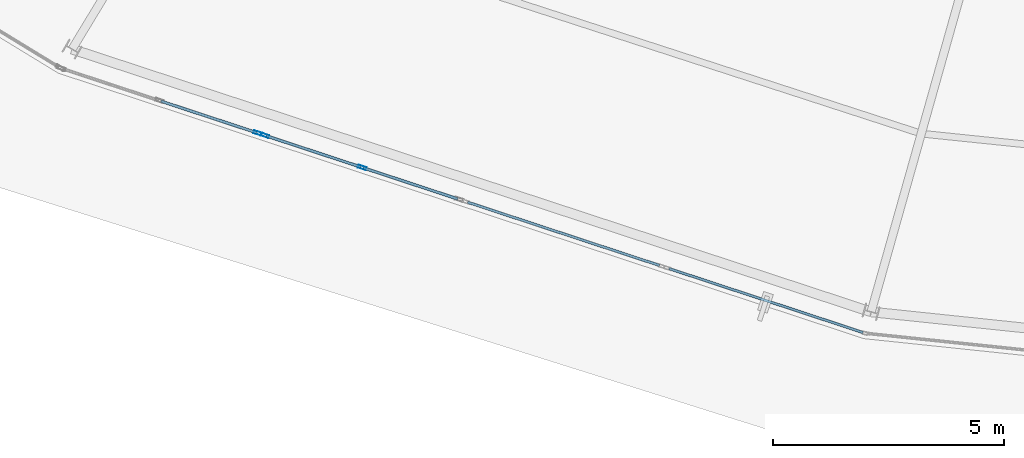
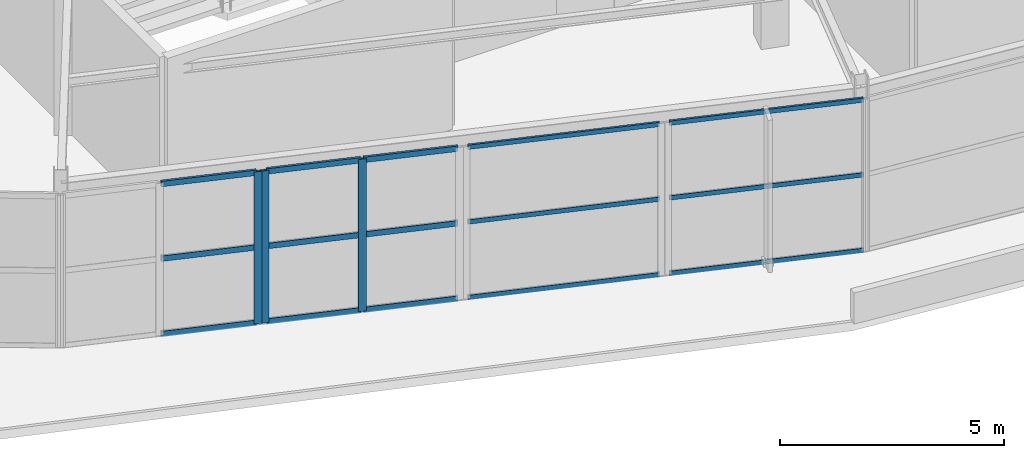
# One storey, part 18 of 126: 18 members, 4 elements without a shape of their own.
"""IFC4 building model written with IfcOpenShell, lengths in metres."""

from ifc_helpers import new_model, si_unit, direction, frame, origin, origin_2d, place, context, subcontext, project, spatial, hollow_rectangle, extrude, material, layer, layer_set, material_profile, profile_set, type_object, element, aggregate, save


model = new_model("IFC4")

# Units and contexts
model_context = context("Model", 3, precision=1e-05, world=origin(), true_north=direction((0.0, 1.0)))
body_context = subcontext(model_context, "Body", "Model", "MODEL_VIEW")
ifc_project = project(units=[si_unit("LENGTHUNIT", "METRE"), si_unit("AREAUNIT", "SQUARE_METRE"), si_unit("VOLUMEUNIT", "CUBIC_METRE"), si_unit("PLANEANGLEUNIT", "RADIAN"), si_unit("MASSUNIT", "GRAM", prefix="KILO")], contexts=[model_context])

# Site, building, storey
site_placement = place(None, origin())
site = spatial("IfcSite", under=ifc_project, at=site_placement, CompositionType="ELEMENT")
building_placement = place(site_placement, origin())
building = spatial("IfcBuilding", under=site, at=building_placement, Name="Kalgoora Escarpment Arena", CompositionType="ELEMENT")
storey_placement = place(building_placement, frame((0.0, 0.0, 18.89990234375)))
storey = spatial("IfcBuildingStorey", under=building, at=storey_placement, Name="L04", CompositionType="ELEMENT", Elevation=18.89990234375)

# Curtain wall, members
ifc_material_1 = material(Name=" Champagne anodised aluminium & double-glazed low-E", Category="aluminium")
ifc_layer_1 = layer(ifc_material_1, 0.154052734375)
ifc_layer_set_1 = layer_set([ifc_layer_1], Name="CW-UNIT-01")
curtain_wall_type_1 = type_object("IfcCurtainWallType", Name="CW-UNIT-01", PredefinedType="NOTDEFINED", material=ifc_layer_set_1)
curtain_wall_1_placement = place(storey_placement, origin())
curtain_wall_1 = element("IfcCurtainWall", 1, at=curtain_wall_1_placement, inside=storey, type_object=curtain_wall_type_1, Name="L04 unitised facade curtain wall 120", PredefinedType="NOTDEFINED")
ifc_material_2 = material(Name="Anodised aluminium 6063-T6", Category="aluminium")
ifc_material_profile_1 = material_profile(ifc_material_2, hollow_rectangle(XDim=0.06494140625, YDim=0.179931640625, WallThickness=0.00390625, at=origin_2d()))
ifc_profile_set_1 = profile_set([ifc_material_profile_1], Name="Anodised aluminium 6063-T6")
member_type_1 = type_object("IfcMemberType", Name="MEM-CW-MULL-180", PredefinedType="MULLION", material=ifc_profile_set_1)
member_1_placement = place(storey_placement, frame((62.78564453125, 12.072998046875, 0.02001953125), z_axis=(0.0, 0.0, 1.0), x_axis=(-0.312989939956, -0.94975644114, 0.0)))
member_1 = element("IfcMember", 2, at=member_1_placement, type_object=member_type_1, Name="CW-01 mullion 2", PredefinedType="MULLION", context=body_context, shape_type="SweptSolid", body=[
    extrude(hollow_rectangle(XDim=0.06494140625, YDim=0.179931640625, WallThickness=0.00390625, at=origin_2d()), origin(), (0.0, 0.0, 1.0), 4.150146484375),
])
member_2_placement = place(storey_placement, frame((60.68115234375, 12.7666015625, 0.02001953125), z_axis=(0.0, 0.0, 1.0), x_axis=(-0.312989939956, -0.94975644114, 0.0)))
member_2 = element("IfcMember", 3, at=member_2_placement, type_object=member_type_1, Name="CW-01 mullion 3", PredefinedType="MULLION", context=body_context, shape_type="SweptSolid", body=[
    extrude(hollow_rectangle(XDim=0.06494140625, YDim=0.179931640625, WallThickness=0.00390625, at=origin_2d()), origin(), (0.0, 0.0, 1.0), 4.150146484375),
])

# Curtain wall, member
ifc_material_3 = material(Name=" Champagne anodised aluminium & double-glazed low-E", Category="aluminium")
ifc_layer_2 = layer(ifc_material_3, 0.157958984375)
ifc_layer_set_2 = layer_set([ifc_layer_2], Name="CW-UNIT-02")
curtain_wall_type_2 = type_object("IfcCurtainWallType", Name="CW-UNIT-02", PredefinedType="NOTDEFINED", material=ifc_layer_set_2)
curtain_wall_2_placement = place(storey_placement, origin())
curtain_wall_2 = element("IfcCurtainWall", 4, at=curtain_wall_2_placement, inside=storey, type_object=curtain_wall_type_2, Name="L04 unitised facade curtain wall 121", PredefinedType="NOTDEFINED")
member_3_placement = place(storey_placement, frame((60.5244140625, 12.818115234375, 0.02001953125), z_axis=(0.0, 0.0, 1.0), x_axis=(-0.312985861452, -0.949757785191, 0.0)))
member_3 = element("IfcMember", 5, at=member_3_placement, type_object=member_type_1, Name="CW-02 mullion 1", PredefinedType="MULLION", context=body_context, shape_type="SweptSolid", body=[
    extrude(hollow_rectangle(XDim=0.06494140625, YDim=0.179931640625, WallThickness=0.00390625, at=origin_2d()), origin(), (0.0, 0.0, 1.0), 4.150146484375),
])

# Curtain wall, members
ifc_material_4 = material(Name=" Champagne anodised aluminium & double-glazed low-E", Category="aluminium")
ifc_layer_3 = layer(ifc_material_4, 0.166015625)
ifc_layer_set_3 = layer_set([ifc_layer_3], Name="CW-UNIT-19")
curtain_wall_type_3 = type_object("IfcCurtainWallType", Name="CW-UNIT-19", PredefinedType="NOTDEFINED", material=ifc_layer_set_3)
curtain_wall_3_placement = place(storey_placement, origin())
curtain_wall_3 = element("IfcCurtainWall", 6, at=curtain_wall_3_placement, inside=storey, type_object=curtain_wall_type_3, Name="L04 unitised facade curtain wall 118", PredefinedType="NOTDEFINED")
ifc_material_5 = material(Name="Anodised aluminium 6063-T6", Category="aluminium")
ifc_material_profile_2 = material_profile(ifc_material_5, hollow_rectangle(XDim=0.054931640625, YDim=0.1201171875, WallThickness=0.003173828125, at=origin_2d()))
ifc_profile_set_2 = profile_set([ifc_material_profile_2], Name="Anodised aluminium 6063-T6")
member_type_2 = type_object("IfcMemberType", Name="MEM-CW-TRAN-120", PredefinedType="USERDEFINED", material=ifc_profile_set_2)
member_4_placement = place(storey_placement, frame((73.64208984375, 8.495361328125, 0.047607421875), z_axis=(-0.949747912107, 0.313015819804, 0.0), x_axis=(-0.313015819804, -0.949747912107, 0.0)))
member_4 = element("IfcMember", 7, at=member_4_placement, type_object=member_type_2, Name="CW-19 transom 1.1", ObjectType="TRANSOM", PredefinedType="USERDEFINED", context=body_context, shape_type="SweptSolid", body=[
    extrude(hollow_rectangle(XDim=0.054931640625, YDim=0.1201171875, WallThickness=0.003173828125, at=origin_2d()), origin(), (0.0, 0.0, 1.0), 4.42626953125),
])
member_5_placement = place(storey_placement, frame((73.64208984375, 8.495361328125, 2.10498046875), z_axis=(-0.949747912107, 0.313015819804, 0.0), x_axis=(-0.313015819804, -0.949747912107, 0.0)))
member_5 = element("IfcMember", 8, at=member_5_placement, type_object=member_type_2, Name="CW-19 transom 1.2", ObjectType="TRANSOM", PredefinedType="USERDEFINED", context=body_context, shape_type="SweptSolid", body=[
    extrude(hollow_rectangle(XDim=0.054931640625, YDim=0.1201171875, WallThickness=0.003173828125, at=origin_2d()), origin(), (0.0, 0.0, 1.0), 4.42626953125),
])
member_6_placement = place(storey_placement, frame((73.64208984375, 8.495361328125, 4.142578125), z_axis=(-0.949747912107, 0.313015819804, 0.0), x_axis=(-0.313015819804, -0.949747912107, 0.0)))
member_6 = element("IfcMember", 9, at=member_6_placement, type_object=member_type_2, Name="CW-19 transom 1.3", ObjectType="TRANSOM", PredefinedType="USERDEFINED", context=body_context, shape_type="SweptSolid", body=[
    extrude(hollow_rectangle(XDim=0.054931640625, YDim=0.1201171875, WallThickness=0.003173828125, at=origin_2d()), origin(), (0.0, 0.0, 1.0), 4.42626953125),
])
aggregate(curtain_wall_3, [member_4, member_5, member_6])

ifc_material_6 = material(Name=" Champagne anodised aluminium & double-glazed low-E", Category="aluminium")
ifc_layer_4 = layer(ifc_material_6, 0.14990234375)
ifc_layer_set_4 = layer_set([ifc_layer_4], Name="CW-UNIT-20")
curtain_wall_type_4 = type_object("IfcCurtainWallType", Name="CW-UNIT-20", PredefinedType="NOTDEFINED", material=ifc_layer_set_4)
curtain_wall_4_placement = place(storey_placement, origin())
curtain_wall_4 = element("IfcCurtainWall", 10, at=curtain_wall_4_placement, inside=storey, type_object=curtain_wall_type_4, Name="L04 unitised facade curtain wall 119", PredefinedType="NOTDEFINED")
member_7_placement = place(storey_placement, frame((69.229248046875, 9.94970703125, 0.047607421875), z_axis=(-0.949765521885, 0.312962383423, 0.0), x_axis=(-0.312962383423, -0.949765521885, 0.0)))
member_7 = element("IfcMember", 11, at=member_7_placement, type_object=member_type_2, Name="CW-20 transom 1.1", ObjectType="TRANSOM", PredefinedType="USERDEFINED", context=body_context, shape_type="SweptSolid", body=[
    extrude(hollow_rectangle(XDim=0.054931640625, YDim=0.1201171875, WallThickness=0.003173828125, at=origin_2d()), origin(), (0.0, 0.0, 1.0), 4.376220703125),
])
member_8_placement = place(storey_placement, frame((69.229248046875, 9.94970703125, 2.10498046875), z_axis=(-0.949765521885, 0.312962383423, 0.0), x_axis=(-0.312962383423, -0.949765521885, 0.0)))
member_8 = element("IfcMember", 12, at=member_8_placement, type_object=member_type_2, Name="CW-20 transom 1.2", ObjectType="TRANSOM", PredefinedType="USERDEFINED", context=body_context, shape_type="SweptSolid", body=[
    extrude(hollow_rectangle(XDim=0.054931640625, YDim=0.1201171875, WallThickness=0.003173828125, at=origin_2d()), origin(), (0.0, 0.0, 1.0), 4.376220703125),
])
member_9_placement = place(storey_placement, frame((69.229248046875, 9.94970703125, 4.142578125), z_axis=(-0.949765521885, 0.312962383423, 0.0), x_axis=(-0.312962383423, -0.949765521885, 0.0)))
member_9 = element("IfcMember", 13, at=member_9_placement, type_object=member_type_2, Name="CW-20 transom 1.3", ObjectType="TRANSOM", PredefinedType="USERDEFINED", context=body_context, shape_type="SweptSolid", body=[
    extrude(hollow_rectangle(XDim=0.054931640625, YDim=0.1201171875, WallThickness=0.003173828125, at=origin_2d()), origin(), (0.0, 0.0, 1.0), 4.376220703125),
])
aggregate(curtain_wall_4, [member_7, member_8, member_9])

# Member
ifc_material_7 = material(Name="Anodised aluminium 6063-T6", Category="aluminium")
ifc_material_profile_3 = material_profile(ifc_material_7, hollow_rectangle(XDim=0.06005859375, YDim=0.14990234375, WallThickness=0.00341796875, at=origin_2d()))
ifc_profile_set_3 = profile_set([ifc_material_profile_3], Name="Anodised aluminium 6063-T6")
member_type_3 = type_object("IfcMemberType", Name="MEM-CW-TRAN-150", PredefinedType="USERDEFINED", material=ifc_profile_set_3)
member_10_placement = place(storey_placement, frame((64.859130859375, 11.3896484375, 0.050048828125), z_axis=(-0.949733650084, 0.313059090108, 0.0), x_axis=(-0.313059090108, -0.949733650084, 0.0)))
member_10 = element("IfcMember", 14, at=member_10_placement, type_object=member_type_3, Name="CW-01 transom 1.1", ObjectType="TRANSOM", PredefinedType="USERDEFINED", context=body_context, shape_type="SweptSolid", body=[
    extrude(hollow_rectangle(XDim=0.06005859375, YDim=0.14990234375, WallThickness=0.00341796875, at=origin_2d()), origin(), (0.0, 0.0, 1.0), 2.15087890625),
])

member_11_placement = place(storey_placement, frame((64.859130859375, 11.3896484375, 2.10498046875), z_axis=(-0.949733650084, 0.313059090108, 0.0), x_axis=(-0.313059090108, -0.949733650084, 0.0)))
member_11 = element("IfcMember", 15, at=member_11_placement, type_object=member_type_3, Name="CW-01 transom 1.2", ObjectType="TRANSOM", PredefinedType="USERDEFINED", context=body_context, shape_type="SweptSolid", body=[
    extrude(hollow_rectangle(XDim=0.06005859375, YDim=0.14990234375, WallThickness=0.00341796875, at=origin_2d()), origin(), (0.0, 0.0, 1.0), 2.15087890625),
])

member_12_placement = place(storey_placement, frame((64.859130859375, 11.3896484375, 4.14013671875), z_axis=(-0.949733650084, 0.313059090108, 0.0), x_axis=(-0.313059090108, -0.949733650084, 0.0)))
member_12 = element("IfcMember", 16, at=member_12_placement, type_object=member_type_3, Name="CW-01 transom 1.3", ObjectType="TRANSOM", PredefinedType="USERDEFINED", context=body_context, shape_type="SweptSolid", body=[
    extrude(hollow_rectangle(XDim=0.06005859375, YDim=0.14990234375, WallThickness=0.00341796875, at=origin_2d()), origin(), (0.0, 0.0, 1.0), 2.15087890625),
])

member_13_placement = place(storey_placement, frame((62.754638671875, 12.083251953125, 0.050048828125), z_axis=(-0.949756275184, 0.312990443543, 0.0), x_axis=(-0.312990443543, -0.949756275184, 0.0)))
member_13 = element("IfcMember", 17, at=member_13_placement, type_object=member_type_3, Name="CW-01 transom 2.1", ObjectType="TRANSOM", PredefinedType="USERDEFINED", context=body_context, shape_type="SweptSolid", body=[
    extrude(hollow_rectangle(XDim=0.06005859375, YDim=0.14990234375, WallThickness=0.00341796875, at=origin_2d()), origin(), (0.0, 0.0, 1.0), 2.150634765625),
])

member_14_placement = place(storey_placement, frame((62.754638671875, 12.083251953125, 2.10498046875), z_axis=(-0.949756275184, 0.312990443543, 0.0), x_axis=(-0.312990443543, -0.949756275184, 0.0)))
member_14 = element("IfcMember", 18, at=member_14_placement, type_object=member_type_3, Name="CW-01 transom 2.2", ObjectType="TRANSOM", PredefinedType="USERDEFINED", context=body_context, shape_type="SweptSolid", body=[
    extrude(hollow_rectangle(XDim=0.06005859375, YDim=0.14990234375, WallThickness=0.00341796875, at=origin_2d()), origin(), (0.0, 0.0, 1.0), 2.150634765625),
])

member_15_placement = place(storey_placement, frame((62.754638671875, 12.083251953125, 4.14013671875), z_axis=(-0.949756275184, 0.312990443543, 0.0), x_axis=(-0.312990443543, -0.949756275184, 0.0)))
member_15 = element("IfcMember", 19, at=member_15_placement, type_object=member_type_3, Name="CW-01 transom 2.3", ObjectType="TRANSOM", PredefinedType="USERDEFINED", context=body_context, shape_type="SweptSolid", body=[
    extrude(hollow_rectangle(XDim=0.06005859375, YDim=0.14990234375, WallThickness=0.00341796875, at=origin_2d()), origin(), (0.0, 0.0, 1.0), 2.150634765625),
])

aggregate(curtain_wall_1, [member_1, member_2, member_10, member_11, member_12, member_13, member_14, member_15])

member_16_placement = place(storey_placement, frame((60.49365234375, 12.828369140625, 0.050048828125), z_axis=(-0.949766139008, 0.312960510597, 0.0), x_axis=(-0.312960510597, -0.949766139008, 0.0)))
member_16 = element("IfcMember", 20, at=member_16_placement, type_object=member_type_3, Name="CW-02 transom 1.1", ObjectType="TRANSOM", PredefinedType="USERDEFINED", context=body_context, shape_type="SweptSolid", body=[
    extrude(hollow_rectangle(XDim=0.06005859375, YDim=0.14990234375, WallThickness=0.00341796875, at=origin_2d()), origin(), (0.0, 0.0, 1.0), 2.17578125),
])

member_17_placement = place(storey_placement, frame((60.49365234375, 12.828369140625, 2.10498046875), z_axis=(-0.949766139008, 0.312960510597, 0.0), x_axis=(-0.312960510597, -0.949766139008, 0.0)))
member_17 = element("IfcMember", 21, at=member_17_placement, type_object=member_type_3, Name="CW-02 transom 1.2", ObjectType="TRANSOM", PredefinedType="USERDEFINED", context=body_context, shape_type="SweptSolid", body=[
    extrude(hollow_rectangle(XDim=0.06005859375, YDim=0.14990234375, WallThickness=0.00341796875, at=origin_2d()), origin(), (0.0, 0.0, 1.0), 2.17578125),
])

member_18_placement = place(storey_placement, frame((60.49365234375, 12.828369140625, 4.14013671875), z_axis=(-0.949766139008, 0.312960510597, 0.0), x_axis=(-0.312960510597, -0.949766139008, 0.0)))
member_18 = element("IfcMember", 22, at=member_18_placement, type_object=member_type_3, Name="CW-02 transom 1.3", ObjectType="TRANSOM", PredefinedType="USERDEFINED", context=body_context, shape_type="SweptSolid", body=[
    extrude(hollow_rectangle(XDim=0.06005859375, YDim=0.14990234375, WallThickness=0.00341796875, at=origin_2d()), origin(), (0.0, 0.0, 1.0), 2.17578125),
])

aggregate(curtain_wall_2, [member_3, member_16, member_17, member_18])

save(model, "model.ifc")
